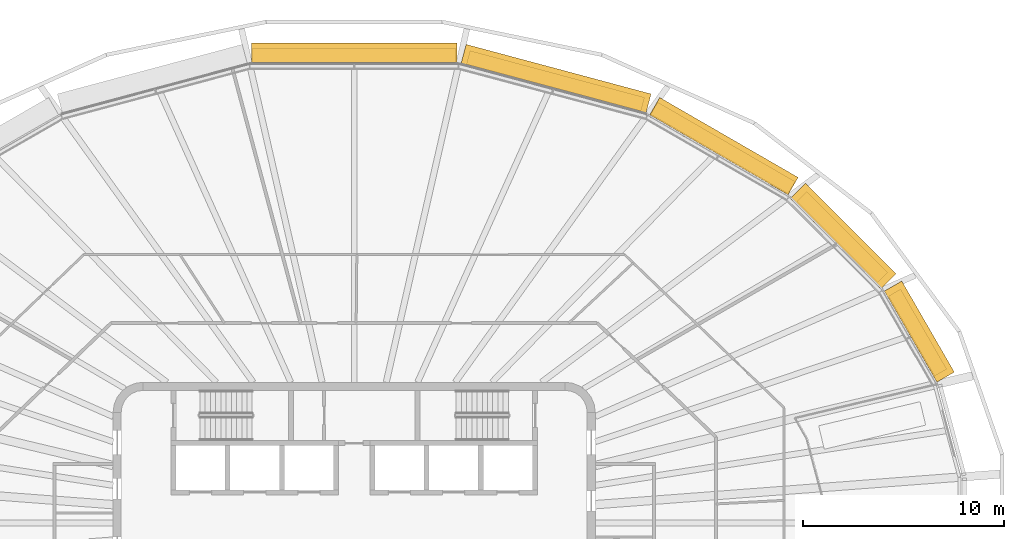
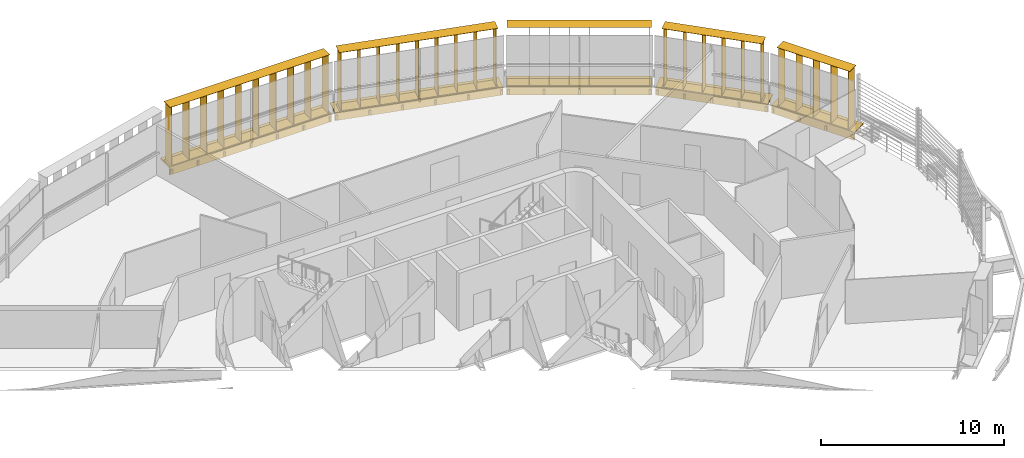
# One storey, part 21 of 21: 10 shading devices.
"""IFC4 building model written with IfcOpenShell, lengths in metres."""

from ifc_helpers import new_model, si_unit, direction, frame, origin, origin_2d, place, context, subcontext, project, spatial, rectangle, extrude, material, type_object, element, save


model = new_model("IFC4")

# Units and contexts
model_context = context("Model", 3, precision=1e-05, world=origin(), true_north=direction((0.0, 1.0)))
body_context = subcontext(model_context, "Body", "Model", "MODEL_VIEW")
ifc_project = project(units=[si_unit("LENGTHUNIT", "METRE"), si_unit("AREAUNIT", "SQUARE_METRE"), si_unit("VOLUMEUNIT", "CUBIC_METRE"), si_unit("PLANEANGLEUNIT", "RADIAN"), si_unit("MASSUNIT", "GRAM", prefix="KILO")], contexts=[model_context])

# Site, building, storey
site_placement = place(None, origin())
site = spatial("IfcSite", under=ifc_project, at=site_placement, CompositionType="ELEMENT")
building_placement = place(site_placement, origin())
building = spatial("IfcBuilding", under=site, at=building_placement, Name="Sahrelin Media Tower", CompositionType="ELEMENT")
storey_placement = place(building_placement, frame((0.0, 0.0, 259.0)))
storey = spatial("IfcBuildingStorey", under=building, at=storey_placement, Name="L56", CompositionType="ELEMENT", Elevation=259.0)

# Shading devices
ifc_material = material(Name="Champagne anodised aluminium 6063-T6", Category="aluminium")
shading_device_type_1 = type_object("IfcShadingDeviceType", Name="Fin cassette", PredefinedType="USERDEFINED", material=ifc_material)
placement_1 = place(storey_placement, frame((27.679443359375, 9.261474609375, 0.0), z_axis=(0.0, 0.0, 1.0), x_axis=(0.500011000363, -0.866019052629, 0.0)))
element("IfcShadingDevice", 1, at=placement_1, inside=storey, type_object=shading_device_type_1, Name="L56:FIN:L56-02", ObjectType="FIN", PredefinedType="USERDEFINED", context=body_context, shape_type="SweptSolid", body=[
    extrude(rectangle(XDim=4.60009765625, YDim=0.699951171875, at=origin_2d()), frame((0.0, 0.419921875, 0.0)), (0.0, 0.0, 1.0), 0.02001953125),
    extrude(rectangle(XDim=4.60009765625, YDim=0.699951171875, at=origin_2d()), frame((0.0, 0.419921875, 3.89990234375)), (0.0, 0.0, 1.0), 0.02001953125),
    extrude(rectangle(XDim=0.02001953125, YDim=0.699951171875, at=origin_2d()), frame((-2.199951171875, 0.419921875, 0.010009765625), z_axis=(0.0, 0.0, 1.0), x_axis=(1.0, 0.0, 0.0)), (0.0, 0.0, 1.0), 3.89990234375),
    extrude(rectangle(XDim=0.02001953125, YDim=0.699951171875, at=origin_2d()), frame((-1.10009765625, 0.419921875, 0.010009765625), z_axis=(0.0, 0.0, 1.0), x_axis=(1.0, 0.0, 0.0)), (0.0, 0.0, 1.0), 3.89990234375),
    extrude(rectangle(XDim=0.02001953125, YDim=0.699951171875, at=origin_2d()), frame((0.0, 0.419921875, 0.010009765625), z_axis=(0.0, 0.0, 1.0), x_axis=(1.0, 0.0, 0.0)), (0.0, 0.0, 1.0), 3.89990234375),
    extrude(rectangle(XDim=0.02001953125, YDim=0.699951171875, at=origin_2d()), frame((1.10009765625, 0.419921875, 0.010009765625), z_axis=(0.0, 0.0, 1.0), x_axis=(1.0, 0.0, 0.0)), (0.0, 0.0, 1.0), 3.89990234375),
    extrude(rectangle(XDim=0.02001953125, YDim=0.699951171875, at=origin_2d()), frame((2.199951171875, 0.419921875, 0.010009765625), z_axis=(0.0, 0.0, 1.0), x_axis=(1.0, 0.0, 0.0)), (0.0, 0.0, 1.0), 3.89990234375),
])
placement_2 = place(storey_placement, frame((23.997314453125, 13.9375, 0.0), z_axis=(0.0, 0.0, 1.0), x_axis=(0.707106781187, -0.707106781187, 0.0)))
element("IfcShadingDevice", 2, at=placement_2, inside=storey, type_object=shading_device_type_1, Name="L56:FIN:L56-03", ObjectType="FIN", PredefinedType="USERDEFINED", context=body_context, shape_type="SweptSolid", body=[
    extrude(rectangle(XDim=5.699951171875, YDim=0.699951171875, at=origin_2d()), frame((0.0, 0.419921875, 0.0)), (0.0, 0.0, 1.0), 0.02001953125),
    extrude(rectangle(XDim=5.699951171875, YDim=0.699951171875, at=origin_2d()), frame((0.0, 0.419921875, 3.89990234375)), (0.0, 0.0, 1.0), 0.02001953125),
    extrude(rectangle(XDim=0.02001953125, YDim=0.699951171875, at=origin_2d()), frame((-2.75, 0.419921875, 0.010009765625), z_axis=(0.0, 0.0, 1.0), x_axis=(1.0, 0.0, 0.0)), (0.0, 0.0, 1.0), 3.89990234375),
    extrude(rectangle(XDim=0.02001953125, YDim=0.699951171875, at=origin_2d()), frame((-1.64990234375, 0.419921875, 0.010009765625), z_axis=(0.0, 0.0, 1.0), x_axis=(1.0, 0.0, 0.0)), (0.0, 0.0, 1.0), 3.89990234375),
    extrude(rectangle(XDim=0.02001953125, YDim=0.699951171875, at=origin_2d()), frame((-0.550048828125, 0.419921875, 0.010009765625), z_axis=(0.0, 0.0, 1.0), x_axis=(1.0, 0.0, 0.0)), (0.0, 0.0, 1.0), 3.89990234375),
    extrude(rectangle(XDim=0.02001953125, YDim=0.699951171875, at=origin_2d()), frame((0.550048828125, 0.419921875, 0.010009765625), z_axis=(0.0, 0.0, 1.0), x_axis=(1.0, 0.0, 0.0)), (0.0, 0.0, 1.0), 3.89990234375),
    extrude(rectangle(XDim=0.02001953125, YDim=0.699951171875, at=origin_2d()), frame((1.64990234375, 0.419921875, 0.010009765625), z_axis=(0.0, 0.0, 1.0), x_axis=(1.0, 0.0, 0.0)), (0.0, 0.0, 1.0), 3.89990234375),
    extrude(rectangle(XDim=0.02001953125, YDim=0.699951171875, at=origin_2d()), frame((2.75, 0.419921875, 0.010009765625), z_axis=(0.0, 0.0, 1.0), x_axis=(1.0, 0.0, 0.0)), (0.0, 0.0, 1.0), 3.89990234375),
])
placement_3 = place(storey_placement, frame((18.14208984375, 18.300537109375, 0.0), z_axis=(0.0, 0.0, 1.0), x_axis=(0.866019052629, -0.500011000363, 0.0)))
element("IfcShadingDevice", 3, at=placement_3, inside=storey, type_object=shading_device_type_1, Name="L56:FIN:L56-04", ObjectType="FIN", PredefinedType="USERDEFINED", context=body_context, shape_type="SweptSolid", body=[
    extrude(rectangle(XDim=7.89990234375, YDim=0.699951171875, at=origin_2d()), frame((0.0, 0.419921875, 0.0)), (0.0, 0.0, 1.0), 0.02001953125),
    extrude(rectangle(XDim=7.89990234375, YDim=0.699951171875, at=origin_2d()), frame((0.0, 0.419921875, 3.89990234375)), (0.0, 0.0, 1.0), 0.02001953125),
    extrude(rectangle(XDim=0.02001953125, YDim=0.699951171875, at=origin_2d()), frame((-3.85009765625, 0.419921875, 0.010009765625), z_axis=(0.0, 0.0, 1.0), x_axis=(1.0, 0.0, 0.0)), (0.0, 0.0, 1.0), 3.89990234375),
    extrude(rectangle(XDim=0.02001953125, YDim=0.699951171875, at=origin_2d()), frame((-2.75, 0.419921875, 0.010009765625), z_axis=(0.0, 0.0, 1.0), x_axis=(1.0, 0.0, 0.0)), (0.0, 0.0, 1.0), 3.89990234375),
    extrude(rectangle(XDim=0.02001953125, YDim=0.699951171875, at=origin_2d()), frame((-1.64990234375, 0.419921875, 0.010009765625), z_axis=(0.0, 0.0, 1.0), x_axis=(1.0, 0.0, 0.0)), (0.0, 0.0, 1.0), 3.89990234375),
    extrude(rectangle(XDim=0.02001953125, YDim=0.699951171875, at=origin_2d()), frame((-0.550048828125, 0.419921875, 0.010009765625), z_axis=(0.0, 0.0, 1.0), x_axis=(1.0, 0.0, 0.0)), (0.0, 0.0, 1.0), 3.89990234375),
    extrude(rectangle(XDim=0.02001953125, YDim=0.699951171875, at=origin_2d()), frame((0.550048828125, 0.419921875, 0.010009765625), z_axis=(0.0, 0.0, 1.0), x_axis=(1.0, 0.0, 0.0)), (0.0, 0.0, 1.0), 3.89990234375),
    extrude(rectangle(XDim=0.02001953125, YDim=0.699951171875, at=origin_2d()), frame((1.64990234375, 0.419921875, 0.010009765625), z_axis=(0.0, 0.0, 1.0), x_axis=(1.0, 0.0, 0.0)), (0.0, 0.0, 1.0), 3.89990234375),
    extrude(rectangle(XDim=0.02001953125, YDim=0.699951171875, at=origin_2d()), frame((2.75, 0.419921875, 0.010009765625), z_axis=(0.0, 0.0, 1.0), x_axis=(1.0, 0.0, 0.0)), (0.0, 0.0, 1.0), 3.89990234375),
    extrude(rectangle(XDim=0.02001953125, YDim=0.699951171875, at=origin_2d()), frame((3.85009765625, 0.419921875, 0.010009765625), z_axis=(0.0, 0.0, 1.0), x_axis=(1.0, 0.0, 0.0)), (0.0, 0.0, 1.0), 3.89990234375),
])
placement_4 = place(storey_placement, frame((9.912109375, 21.598388671875, 0.0), z_axis=(0.0, 0.0, 1.0), x_axis=(0.965928857556, -0.258807731996, 0.0)))
element("IfcShadingDevice", 4, at=placement_4, inside=storey, type_object=shading_device_type_1, Name="L56:FIN:L56-05", ObjectType="FIN", PredefinedType="USERDEFINED", context=body_context, shape_type="SweptSolid", body=[
    extrude(rectangle(XDim=9.0, YDim=0.699951171875, at=origin_2d()), frame((0.0, 0.419921875, 0.0)), (0.0, 0.0, 1.0), 0.02001953125),
    extrude(rectangle(XDim=9.0, YDim=0.699951171875, at=origin_2d()), frame((0.0, 0.419921875, 3.89990234375)), (0.0, 0.0, 1.0), 0.02001953125),
    extrude(rectangle(XDim=0.02001953125, YDim=0.699951171875, at=origin_2d()), frame((-4.39990234375, 0.419921875, 0.010009765625), z_axis=(0.0, 0.0, 1.0), x_axis=(1.0, 0.0, 0.0)), (0.0, 0.0, 1.0), 3.89990234375),
    extrude(rectangle(XDim=0.02001953125, YDim=0.699951171875, at=origin_2d()), frame((-3.300048828125, 0.419921875, 0.010009765625), z_axis=(0.0, 0.0, 1.0), x_axis=(1.0, 0.0, 0.0)), (0.0, 0.0, 1.0), 3.89990234375),
    extrude(rectangle(XDim=0.02001953125, YDim=0.699951171875, at=origin_2d()), frame((-2.199951171875, 0.419921875, 0.010009765625), z_axis=(0.0, 0.0, 1.0), x_axis=(1.0, 0.0, 0.0)), (0.0, 0.0, 1.0), 3.89990234375),
    extrude(rectangle(XDim=0.02001953125, YDim=0.699951171875, at=origin_2d()), frame((-1.10009765625, 0.419921875, 0.010009765625), z_axis=(0.0, 0.0, 1.0), x_axis=(1.0, 0.0, 0.0)), (0.0, 0.0, 1.0), 3.89990234375),
    extrude(rectangle(XDim=0.02001953125, YDim=0.699951171875, at=origin_2d()), frame((0.0, 0.419921875, 0.010009765625), z_axis=(0.0, 0.0, 1.0), x_axis=(1.0, 0.0, 0.0)), (0.0, 0.0, 1.0), 3.89990234375),
    extrude(rectangle(XDim=0.02001953125, YDim=0.699951171875, at=origin_2d()), frame((1.10009765625, 0.419921875, 0.010009765625), z_axis=(0.0, 0.0, 1.0), x_axis=(1.0, 0.0, 0.0)), (0.0, 0.0, 1.0), 3.89990234375),
    extrude(rectangle(XDim=0.02001953125, YDim=0.699951171875, at=origin_2d()), frame((2.199951171875, 0.419921875, 0.010009765625), z_axis=(0.0, 0.0, 1.0), x_axis=(1.0, 0.0, 0.0)), (0.0, 0.0, 1.0), 3.89990234375),
    extrude(rectangle(XDim=0.02001953125, YDim=0.699951171875, at=origin_2d()), frame((3.300048828125, 0.419921875, 0.010009765625), z_axis=(0.0, 0.0, 1.0), x_axis=(1.0, 0.0, 0.0)), (0.0, 0.0, 1.0), 3.89990234375),
    extrude(rectangle(XDim=0.02001953125, YDim=0.699951171875, at=origin_2d()), frame((4.39990234375, 0.419921875, 0.010009765625), z_axis=(0.0, 0.0, 1.0), x_axis=(1.0, 0.0, 0.0)), (0.0, 0.0, 1.0), 3.89990234375),
])
placement_5 = place(storey_placement, frame((0.0, 22.857421875, 0.0), z_axis=(0.0, 0.0, 1.0), x_axis=(1.0, 0.0, 0.0)))
element("IfcShadingDevice", 5, at=placement_5, inside=storey, type_object=shading_device_type_1, Name="L56:FIN:L56-06", ObjectType="FIN", PredefinedType="USERDEFINED", context=body_context, shape_type="SweptSolid", body=[
    extrude(rectangle(XDim=10.10009765625, YDim=0.699951171875, at=origin_2d()), frame((0.0, 0.419921875, 0.0)), (0.0, 0.0, 1.0), 0.02001953125),
    extrude(rectangle(XDim=10.10009765625, YDim=0.699951171875, at=origin_2d()), frame((0.0, 0.419921875, 3.89990234375)), (0.0, 0.0, 1.0), 0.02001953125),
    extrude(rectangle(XDim=0.02001953125, YDim=0.699951171875, at=origin_2d()), frame((-4.949951171875, 0.419921875, 0.010009765625), z_axis=(0.0, 0.0, 1.0), x_axis=(1.0, 0.0, 0.0)), (0.0, 0.0, 1.0), 3.89990234375),
    extrude(rectangle(XDim=0.02001953125, YDim=0.699951171875, at=origin_2d()), frame((-3.85009765625, 0.419921875, 0.010009765625), z_axis=(0.0, 0.0, 1.0), x_axis=(1.0, 0.0, 0.0)), (0.0, 0.0, 1.0), 3.89990234375),
    extrude(rectangle(XDim=0.02001953125, YDim=0.699951171875, at=origin_2d()), frame((-2.75, 0.419921875, 0.010009765625), z_axis=(0.0, 0.0, 1.0), x_axis=(1.0, 0.0, 0.0)), (0.0, 0.0, 1.0), 3.89990234375),
    extrude(rectangle(XDim=0.02001953125, YDim=0.699951171875, at=origin_2d()), frame((-1.64990234375, 0.419921875, 0.010009765625), z_axis=(0.0, 0.0, 1.0), x_axis=(1.0, 0.0, 0.0)), (0.0, 0.0, 1.0), 3.89990234375),
    extrude(rectangle(XDim=0.02001953125, YDim=0.699951171875, at=origin_2d()), frame((-0.550048828125, 0.419921875, 0.010009765625), z_axis=(0.0, 0.0, 1.0), x_axis=(1.0, 0.0, 0.0)), (0.0, 0.0, 1.0), 3.89990234375),
    extrude(rectangle(XDim=0.02001953125, YDim=0.699951171875, at=origin_2d()), frame((0.550048828125, 0.419921875, 0.010009765625), z_axis=(0.0, 0.0, 1.0), x_axis=(1.0, 0.0, 0.0)), (0.0, 0.0, 1.0), 3.89990234375),
    extrude(rectangle(XDim=0.02001953125, YDim=0.699951171875, at=origin_2d()), frame((1.64990234375, 0.419921875, 0.010009765625), z_axis=(0.0, 0.0, 1.0), x_axis=(1.0, 0.0, 0.0)), (0.0, 0.0, 1.0), 3.89990234375),
    extrude(rectangle(XDim=0.02001953125, YDim=0.699951171875, at=origin_2d()), frame((2.75, 0.419921875, 0.010009765625), z_axis=(0.0, 0.0, 1.0), x_axis=(1.0, 0.0, 0.0)), (0.0, 0.0, 1.0), 3.89990234375),
    extrude(rectangle(XDim=0.02001953125, YDim=0.699951171875, at=origin_2d()), frame((3.85009765625, 0.419921875, 0.010009765625), z_axis=(0.0, 0.0, 1.0), x_axis=(1.0, 0.0, 0.0)), (0.0, 0.0, 1.0), 3.89990234375),
    extrude(rectangle(XDim=0.02001953125, YDim=0.699951171875, at=origin_2d()), frame((4.949951171875, 0.419921875, 0.010009765625), z_axis=(0.0, 0.0, 1.0), x_axis=(1.0, 0.0, 0.0)), (0.0, 0.0, 1.0), 3.89990234375),
])
shading_device_type_2 = type_object("IfcShadingDeviceType", Name="Sunshade band", PredefinedType="USERDEFINED", material=ifc_material)
element("IfcShadingDevice", 6, at=placement_1, inside=storey, type_object=shading_device_type_2, Name="L56:SUN:L56-02", ObjectType="SUNSHADE", PredefinedType="USERDEFINED", context=body_context, shape_type="SweptSolid", body=[
    extrude(rectangle(XDim=5.231201171875, YDim=0.050048828125, at=origin_2d()), frame((0.0, 0.044921875, -0.55126953125)), (0.0, 0.0, 1.0), 0.471435546875),
    extrude(rectangle(XDim=5.231201171875, YDim=1.0, at=origin_2d()), frame((0.0, 0.52001953125, -0.080078125)), (0.0, 0.0, 1.0), 0.080078125),
    extrude(rectangle(XDim=0.10009765625, YDim=0.074951171875, at=origin_2d()), frame((-2.515625, -0.017578125, -0.47021484375)), (0.0, 0.0, 1.0), 0.300048828125),
    extrude(rectangle(XDim=0.10009765625, YDim=0.074951171875, at=origin_2d()), frame((-0.83837890625, -0.017578125, -0.47021484375)), (0.0, 0.0, 1.0), 0.300048828125),
    extrude(rectangle(XDim=0.10009765625, YDim=0.074951171875, at=origin_2d()), frame((0.83837890625, -0.017578125, -0.47021484375)), (0.0, 0.0, 1.0), 0.300048828125),
    extrude(rectangle(XDim=0.10009765625, YDim=0.074951171875, at=origin_2d()), frame((2.515625, -0.017578125, -0.47021484375)), (0.0, 0.0, 1.0), 0.300048828125),
])
element("IfcShadingDevice", 7, at=placement_2, inside=storey, type_object=shading_device_type_2, Name="L56:SUN:L56-03", ObjectType="SUNSHADE", PredefinedType="USERDEFINED", context=body_context, shape_type="SweptSolid", body=[
    extrude(rectangle(XDim=6.3740234375, YDim=0.050048828125, at=origin_2d()), frame((0.0, 0.044921875, -0.55126953125)), (0.0, 0.0, 1.0), 0.471435546875),
    extrude(rectangle(XDim=6.3740234375, YDim=1.0, at=origin_2d()), frame((0.0, 0.52001953125, -0.080078125)), (0.0, 0.0, 1.0), 0.080078125),
    extrude(rectangle(XDim=0.10009765625, YDim=0.074951171875, at=origin_2d()), frame((-3.087158203125, -0.017578125, -0.47021484375)), (0.0, 0.0, 1.0), 0.300048828125),
    extrude(rectangle(XDim=0.10009765625, YDim=0.074951171875, at=origin_2d()), frame((-1.54345703125, -0.017578125, -0.47021484375)), (0.0, 0.0, 1.0), 0.300048828125),
    extrude(rectangle(XDim=0.10009765625, YDim=0.074951171875, at=origin_2d()), frame((0.0, -0.017578125, -0.47021484375)), (0.0, 0.0, 1.0), 0.300048828125),
    extrude(rectangle(XDim=0.10009765625, YDim=0.074951171875, at=origin_2d()), frame((1.54345703125, -0.017578125, -0.47021484375)), (0.0, 0.0, 1.0), 0.300048828125),
    extrude(rectangle(XDim=0.10009765625, YDim=0.074951171875, at=origin_2d()), frame((3.087158203125, -0.017578125, -0.47021484375)), (0.0, 0.0, 1.0), 0.300048828125),
])
element("IfcShadingDevice", 8, at=placement_3, inside=storey, type_object=shading_device_type_2, Name="L56:SUN:L56-04", ObjectType="SUNSHADE", PredefinedType="USERDEFINED", context=body_context, shape_type="SweptSolid", body=[
    extrude(rectangle(XDim=7.95458984375, YDim=0.050048828125, at=origin_2d()), frame((0.0, 0.044921875, -0.55126953125)), (0.0, 0.0, 1.0), 0.471435546875),
    extrude(rectangle(XDim=7.95458984375, YDim=1.0, at=origin_2d()), frame((0.0, 0.52001953125, -0.080078125)), (0.0, 0.0, 1.0), 0.080078125),
    extrude(rectangle(XDim=0.10009765625, YDim=0.074951171875, at=origin_2d()), frame((-3.877197265625, -0.017578125, -0.47021484375)), (0.0, 0.0, 1.0), 0.300048828125),
    extrude(rectangle(XDim=0.10009765625, YDim=0.074951171875, at=origin_2d()), frame((-1.938720703125, -0.017578125, -0.47021484375)), (0.0, 0.0, 1.0), 0.300048828125),
    extrude(rectangle(XDim=0.10009765625, YDim=0.074951171875, at=origin_2d()), frame((0.0, -0.017578125, -0.47021484375)), (0.0, 0.0, 1.0), 0.300048828125),
    extrude(rectangle(XDim=0.10009765625, YDim=0.074951171875, at=origin_2d()), frame((1.938720703125, -0.017578125, -0.47021484375)), (0.0, 0.0, 1.0), 0.300048828125),
    extrude(rectangle(XDim=0.10009765625, YDim=0.074951171875, at=origin_2d()), frame((3.877197265625, -0.017578125, -0.47021484375)), (0.0, 0.0, 1.0), 0.300048828125),
])
element("IfcShadingDevice", 9, at=placement_4, inside=storey, type_object=shading_device_type_2, Name="L56:SUN:L56-05", ObjectType="SUNSHADE", PredefinedType="USERDEFINED", context=body_context, shape_type="SweptSolid", body=[
    extrude(rectangle(XDim=9.529296875, YDim=0.050048828125, at=origin_2d()), frame((0.0, 0.044921875, -0.55126953125)), (0.0, 0.0, 1.0), 0.471435546875),
    extrude(rectangle(XDim=9.529296875, YDim=1.0, at=origin_2d()), frame((0.0, 0.52001953125, -0.080078125)), (0.0, 0.0, 1.0), 0.080078125),
    extrude(rectangle(XDim=0.10009765625, YDim=0.074951171875, at=origin_2d()), frame((-4.664794921875, -0.017578125, -0.47021484375)), (0.0, 0.0, 1.0), 0.300048828125),
    extrude(rectangle(XDim=0.10009765625, YDim=0.074951171875, at=origin_2d()), frame((-2.798828125, -0.017578125, -0.47021484375)), (0.0, 0.0, 1.0), 0.300048828125),
    extrude(rectangle(XDim=0.10009765625, YDim=0.074951171875, at=origin_2d()), frame((-0.932861328125, -0.017578125, -0.47021484375)), (0.0, 0.0, 1.0), 0.300048828125),
    extrude(rectangle(XDim=0.10009765625, YDim=0.074951171875, at=origin_2d()), frame((0.932861328125, -0.017578125, -0.47021484375)), (0.0, 0.0, 1.0), 0.300048828125),
    extrude(rectangle(XDim=0.10009765625, YDim=0.074951171875, at=origin_2d()), frame((2.798828125, -0.017578125, -0.47021484375)), (0.0, 0.0, 1.0), 0.300048828125),
    extrude(rectangle(XDim=0.10009765625, YDim=0.074951171875, at=origin_2d()), frame((4.664794921875, -0.017578125, -0.47021484375)), (0.0, 0.0, 1.0), 0.300048828125),
])
element("IfcShadingDevice", 10, at=placement_5, inside=storey, type_object=shading_device_type_2, Name="L56:SUN:L56-06", ObjectType="SUNSHADE", PredefinedType="USERDEFINED", context=body_context, shape_type="SweptSolid", body=[
    extrude(rectangle(XDim=10.226318359375, YDim=0.050048828125, at=origin_2d()), frame((0.0, 0.044921875, -0.55126953125)), (0.0, 0.0, 1.0), 0.471435546875),
    extrude(rectangle(XDim=10.226318359375, YDim=1.0, at=origin_2d()), frame((0.0, 0.52001953125, -0.080078125)), (0.0, 0.0, 1.0), 0.080078125),
    extrude(rectangle(XDim=0.10009765625, YDim=0.074951171875, at=origin_2d()), frame((-5.01318359375, -0.017578125, -0.47021484375)), (0.0, 0.0, 1.0), 0.300048828125),
    extrude(rectangle(XDim=0.10009765625, YDim=0.074951171875, at=origin_2d()), frame((-3.342041015625, -0.017578125, -0.47021484375)), (0.0, 0.0, 1.0), 0.300048828125),
    extrude(rectangle(XDim=0.10009765625, YDim=0.074951171875, at=origin_2d()), frame((-1.671142578125, -0.017578125, -0.47021484375)), (0.0, 0.0, 1.0), 0.300048828125),
    extrude(rectangle(XDim=0.10009765625, YDim=0.074951171875, at=origin_2d()), frame((0.0, -0.017578125, -0.47021484375)), (0.0, 0.0, 1.0), 0.300048828125),
    extrude(rectangle(XDim=0.10009765625, YDim=0.074951171875, at=origin_2d()), frame((1.671142578125, -0.017578125, -0.47021484375)), (0.0, 0.0, 1.0), 0.300048828125),
    extrude(rectangle(XDim=0.10009765625, YDim=0.074951171875, at=origin_2d()), frame((3.342041015625, -0.017578125, -0.47021484375)), (0.0, 0.0, 1.0), 0.300048828125),
    extrude(rectangle(XDim=0.10009765625, YDim=0.074951171875, at=origin_2d()), frame((5.01318359375, -0.017578125, -0.47021484375)), (0.0, 0.0, 1.0), 0.300048828125),
])

save(model, "model.ifc")
